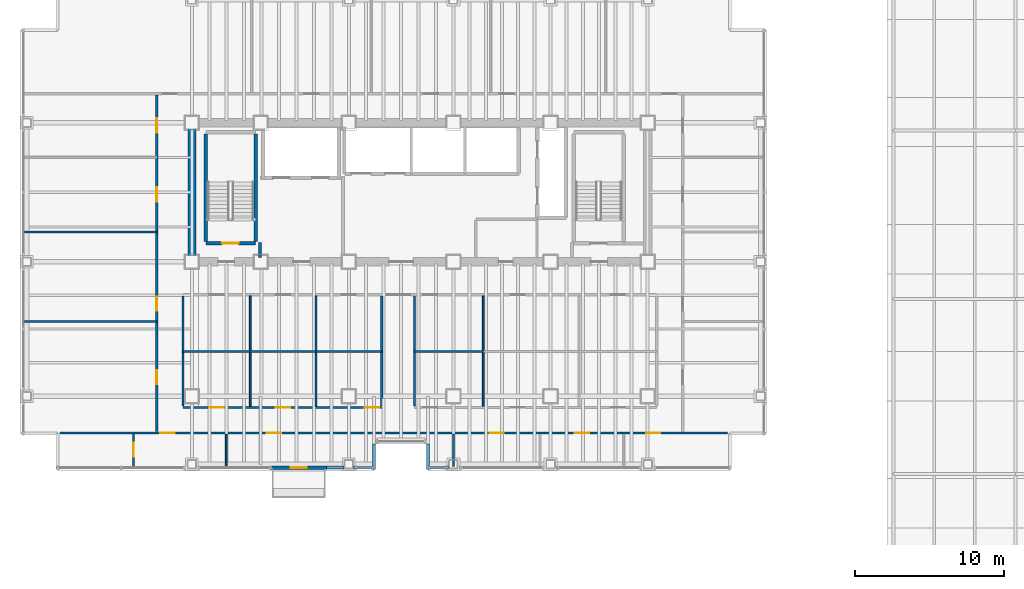
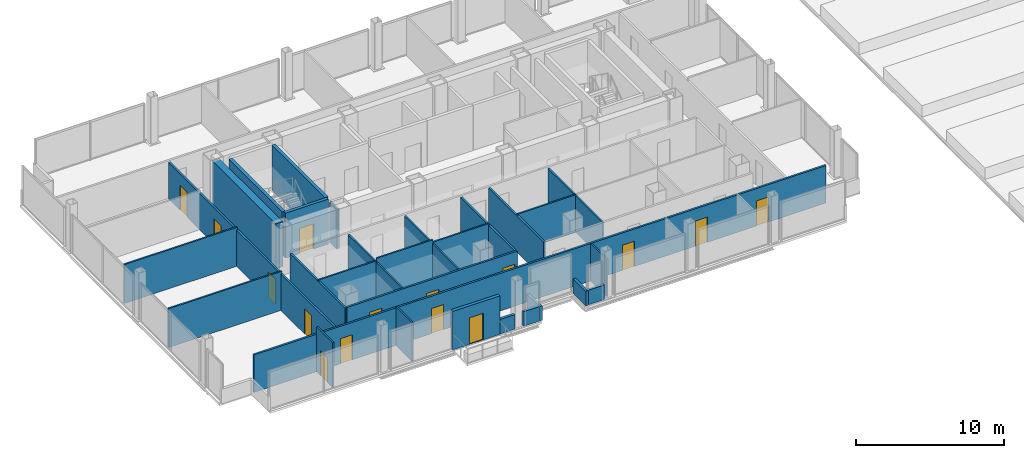
# One storey, part 25 of 30: 29 walls, 15 doors, 15 openings.
"""IFC4 building model written with IfcOpenShell, lengths in metres."""

from ifc_helpers import new_model, si_unit, direction, frame, frame_2d, origin, place, context, subcontext, project, spatial, rectangle, extrude, material, layer, layer_set, type_object, element, fill, save


model = new_model("IFC4")

# Units and contexts
model_context = context("Model", 3, precision=1e-05, world=origin(), true_north=direction((0.0, 1.0)))
body_context = subcontext(model_context, "Body", "Model", "MODEL_VIEW")
ifc_project = project(units=[si_unit("LENGTHUNIT", "METRE"), si_unit("AREAUNIT", "SQUARE_METRE"), si_unit("VOLUMEUNIT", "CUBIC_METRE"), si_unit("PLANEANGLEUNIT", "RADIAN"), si_unit("MASSUNIT", "GRAM", prefix="KILO")], contexts=[model_context])

# Site, building, storey
site_placement = place(None, origin())
site = spatial("IfcSite", under=ifc_project, at=site_placement, CompositionType="ELEMENT")
building_placement = place(site_placement, origin())
building = spatial("IfcBuilding", under=site, at=building_placement, Name="Noeulbin Bourse Tower", CompositionType="ELEMENT")
storey_placement = place(building_placement, frame((0.0, 0.0, 26.5)))
storey = spatial("IfcBuildingStorey", under=building, at=storey_placement, Name="L06", CompositionType="ELEMENT", Elevation=26.5)

# Wall
ifc_material_1 = material(Name="Concrete C60/75", Category="concrete")
ifc_layer_1 = layer(ifc_material_1, 0.550048828125)
ifc_layer_set_1 = layer_set([ifc_layer_1], Name="Concrete C60/75")
wall_type_1 = type_object("IfcWallType", Name="WAL-CORE-550", PredefinedType="SHEAR", material=ifc_layer_set_1)
wall_1_placement = place(storey_placement, frame((13.5, 29.35009765625, 0.0), z_axis=(0.0, 0.0, 1.0), x_axis=(0.0, 1.0, 0.0)))
element("IfcWall", 1, at=wall_1_placement, inside=storey, type_object=wall_type_1, Name="Rear Core West Shear Wall L06", PredefinedType="SHEAR", context=body_context, shape_type="SweptSolid", body=[
    extrude(rectangle(XDim=8.599853515625, YDim=0.550048828125, at=frame_2d((4.2998046875, 0.0))), origin(), (0.0, 0.0, 1.0), 3.719970703125),
])

# Wall, opening, door
ifc_material_2 = material(Name="Precast Concrete C40/50", Category="concrete")
ifc_layer_2 = layer(ifc_material_2, 0.25)
ifc_layer_set_2 = layer_set([ifc_layer_2], Name="Precast Concrete C40/50")
wall_type_2 = type_object("IfcWallType", Name="WAL-EXT-250", PredefinedType="STANDARD", material=ifc_layer_set_2)
wall_2_placement = place(storey_placement, frame((18.800048828125, 15.219970703125, 0.0), z_axis=(0.0, 0.0, 1.0), x_axis=(1.0, 0.0, 0.0)))
wall_2 = element("IfcWall", 2, at=wall_2_placement, inside=storey, type_object=wall_type_2, Name="Balcony Threshold Wall L06", PredefinedType="STANDARD", context=body_context, shape_type="SweptSolid", body=[
    extrude(rectangle(XDim=3.699951171875, YDim=0.25, at=frame_2d((1.85009765625, 0.0))), origin(), (0.0, 0.0, 1.0), 3.179931640625),
])
opening_1_placement = place(wall_2_placement, frame((1.300048828125, 0.0, 0.0)))
opening_1 = element("IfcOpeningElement", 3, at=opening_1_placement, cuts=wall_2, Name="Opening BD-11", PredefinedType="OPENING", context=body_context, shape_type="SweptSolid", body=[
    extrude(rectangle(XDim=1.10009765625, YDim=2.199951171875, at=frame_2d((0.550048828125, 1.10009765625))), frame((0.0, 0.135009765625, 0.0), z_axis=(0.0, -1.0, 0.0), x_axis=(1.0, 0.0, 0.0)), (0.0, 0.0, 1.0), 0.27001953125),
])
ifc_material_3 = material(Name="Thermally Broken Aluminium Framed Glass", Category="aluminium")
door_type_1 = type_object("IfcDoorType", Name="DR-BAL-1100", OperationType="SINGLE_SWING_LEFT", PredefinedType="DOOR", material=ifc_material_3)
door_1_placement = place(opening_1_placement, origin())
door_1 = element("IfcDoor", 4, at=door_1_placement, inside=storey, type_object=door_type_1, Name="Tree-Balcony Access Door BD-L06", OperationType="SINGLE_SWING_RIGHT", OverallHeight=2.199951171875, OverallWidth=1.10009765625, PredefinedType="DOOR", context=body_context, shape_type="SweptSolid", body=[
    extrude(rectangle(XDim=1.10009765625, YDim=2.199951171875, at=frame_2d((0.550048828125, 1.10009765625))), frame((0.0, 0.02490234375, 0.0), z_axis=(0.0, -1.0, 0.0), x_axis=(1.0, 0.0, 0.0)), (0.0, 0.0, 1.0), 0.050048828125),
])
fill(opening_1, door_1)

# Walls
ifc_material_4 = material(Name="Concrete C40/50", Category="concrete")
ifc_layer_3 = layer(ifc_material_4, 0.199951171875)
ifc_layer_set_3 = layer_set([ifc_layer_3], Name="Concrete C40/50")
wall_type_3 = type_object("IfcWallType", Name="WAL-FIRE-200", PredefinedType="STANDARD", material=ifc_layer_set_3)
wall_3_placement = place(storey_placement, frame((18.050048828125, 29.284912109375, 0.0), z_axis=(0.0, 0.0, 1.0), x_axis=(0.0, 1.0, 0.0)))
element("IfcWall", 5, at=wall_3_placement, inside=storey, type_object=wall_type_3, Name="Interior Partition Wall L06-20", PredefinedType="STANDARD", context=body_context, shape_type="SweptSolid", body=[
    extrude(rectangle(XDim=1.01513671875, YDim=0.199951171875, at=frame_2d((0.507568359375, 0.0))), origin(), (0.0, 0.0, 1.0), 3.300048828125),
])
ifc_layer_4 = layer(ifc_material_4, 0.199951171875)
ifc_layer_set_4 = layer_set([ifc_layer_4], Name="Concrete C40/50")
wall_type_4 = type_object("IfcWallType", Name="WAL-PAR-200", PredefinedType="PARAPET", material=ifc_layer_set_4)
wall_4_placement = place(storey_placement, frame((22.5, 15.219970703125, 0.0), z_axis=(0.0, 0.0, 1.0), x_axis=(1.0, 0.0, 0.0)))
element("IfcWall", 6, at=wall_4_placement, inside=storey, type_object=wall_type_4, Name="Perimeter Pier Spandrel Parapet L06-S1", PredefinedType="PARAPET", context=body_context, shape_type="SweptSolid", body=[
    extrude(rectangle(XDim=1.179931640625, YDim=0.199951171875, at=frame_2d((0.58984375, 0.0))), origin(), (0.0, 0.0, 1.0), 1.199951171875),
])
for number, where, z_axis, x_axis, name in (
    (7, (24.320068359375, 15.219970703125, 0.0), (0.0, 0.0, 1.0), (1.0, 0.0, 0.0), "Perimeter Pier Spandrel Parapet L06-S2"),
    (8, (29.35009765625, 15.219970703125, 0.0), (0.0, 0.0, 1.0), (1.0, 0.0, 0.0), "Perimeter Pier Spandrel Parapet L06-S3"),
):
    element("IfcWall", number, at=place(storey_placement, frame(where, z_axis=z_axis, x_axis=x_axis)), inside=storey, type_object=wall_type_4, Name=name, PredefinedType="PARAPET", context=body_context, shape_type="SweptSolid", body=[
        extrude(rectangle(XDim=1.329833984375, YDim=0.199951171875, at=frame_2d((0.6650390625, 0.0))), origin(), (0.0, 0.0, 1.0), 1.199951171875),
    ])
for number, where, z_axis, x_axis, name in (
    (9, (25.699951171875, 15.10009765625, 0.0), (0.0, 0.0, 1.0), (0.0, 1.0, 0.0), "Sky-Garden Recess Parapet L06-W"),
    (10, (29.300048828125, 16.800048828125, 0.0), (0.0, 0.0, 1.0), (0.0, -1.0, 0.0), "Sky-Garden Recess Parapet L06-E"),
):
    element("IfcWall", number, at=place(storey_placement, frame(where, z_axis=z_axis, x_axis=x_axis)), inside=storey, type_object=wall_type_4, Name=name, PredefinedType="PARAPET", context=body_context, shape_type="SweptSolid", body=[
        extrude(rectangle(XDim=1.699951171875, YDim=0.199951171875, at=frame_2d((0.85009765625, 0.0))), origin(), (0.0, 0.0, 1.0), 1.199951171875),
    ])
ifc_material_5 = material(Name="Steel Stud Gypsum Partition", Category="steel")
ifc_layer_5 = layer(ifc_material_5, 0.1201171875)
ifc_layer_set_5 = layer_set([ifc_layer_5], Name="Steel Stud Gypsum Partition")
wall_type_5 = type_object("IfcWallType", Name="WAL-PRT-120", PredefinedType="PARTITIONING", material=ifc_layer_set_5)
wall_5_placement = place(storey_placement, frame((12.89990234375, 23.0, 0.0), z_axis=(0.0, 0.0, 1.0), x_axis=(1.0, 0.0, 0.0)))
element("IfcWall", 11, at=wall_5_placement, inside=storey, type_object=wall_type_5, Name="Interior Partition Wall L06-07", PredefinedType="PARTITIONING", context=body_context, shape_type="SweptSolid", body=[
    extrude(rectangle(XDim=4.5, YDim=0.1201171875, at=frame_2d((2.25, 0.0))), origin(), (0.0, 0.0, 1.0), 3.10009765625),
])
wall_6_placement = place(storey_placement, frame((17.39990234375, 23.0, 0.0), z_axis=(0.0, 0.0, 1.0), x_axis=(1.0, 0.0, 0.0)))
element("IfcWall", 12, at=wall_6_placement, inside=storey, type_object=wall_type_5, Name="Interior Partition Wall L06-08", PredefinedType="PARTITIONING", context=body_context, shape_type="SweptSolid", body=[
    extrude(rectangle(XDim=4.400146484375, YDim=0.1201171875, at=frame_2d((2.2001953125, 0.0))), origin(), (0.0, 0.0, 1.0), 3.300048828125),
])
wall_7_placement = place(storey_placement, frame((21.800048828125, 23.0, 0.0), z_axis=(0.0, 0.0, 1.0), x_axis=(1.0, 0.0, 0.0)))
element("IfcWall", 13, at=wall_7_placement, inside=storey, type_object=wall_type_5, Name="Interior Partition Wall L06-09", PredefinedType="PARTITIONING", context=body_context, shape_type="SweptSolid", body=[
    extrude(rectangle(XDim=4.39990234375, YDim=0.1201171875, at=frame_2d((2.199951171875, 0.0))), origin(), (0.0, 0.0, 1.0), 3.10009765625),
])
wall_8_placement = place(storey_placement, frame((28.39990234375, 23.0, 0.0), z_axis=(0.0, 0.0, 1.0), x_axis=(1.0, 0.0, 0.0)))
element("IfcWall", 14, at=wall_8_placement, inside=storey, type_object=wall_type_5, Name="Interior Partition Wall L06-10", PredefinedType="PARTITIONING", context=body_context, shape_type="SweptSolid", body=[
    extrude(rectangle(XDim=4.60009765625, YDim=0.1201171875, at=frame_2d((2.300048828125, 0.0))), origin(), (0.0, 0.0, 1.0), 3.10009765625),
])
for number, where, z_axis, x_axis, name in (
    (15, (2.31005859375, 25.0, 0.0), (0.0, 0.0, 1.0), (1.0, 0.0, 0.0), "Interior Partition Wall L06-13"),
    (16, (2.31005859375, 31.0, 0.0), (0.0, 0.0, 1.0), (1.0, 0.0, 0.0), "Interior Partition Wall L06-14"),
):
    element("IfcWall", number, at=place(storey_placement, frame(where, z_axis=z_axis, x_axis=x_axis)), inside=storey, type_object=wall_type_5, Name=name, PredefinedType="PARTITIONING", context=body_context, shape_type="SweptSolid", body=[
        extrude(rectangle(XDim=8.83984375, YDim=0.1201171875, at=frame_2d((4.419921875, 0.0))), origin(), (0.0, 0.0, 1.0), 3.2119140625),
    ])

# Wall, opening, door
wall_9_placement = place(storey_placement, frame((9.60009765625, 15.31005859375, 0.0), z_axis=(0.0, 0.0, 1.0), x_axis=(0.0, 1.0, 0.0)))
wall_9 = element("IfcWall", 17, at=wall_9_placement, inside=storey, type_object=wall_type_5, Name="Interior Partition Wall L06-31", PredefinedType="PARTITIONING", context=body_context, shape_type="SweptSolid", body=[
    extrude(rectangle(XDim=2.155029296875, YDim=0.1201171875, at=frame_2d((1.07763671875, 0.0))), origin(), (0.0, 0.0, 1.0), 3.719970703125),
])
opening_2_placement = place(wall_9_placement, frame((0.64501953125, 0.0, 0.0)))
opening_2 = element("IfcOpeningElement", 18, at=opening_2_placement, cuts=wall_9, Name="Opening ID-09", PredefinedType="OPENING", context=body_context, shape_type="SweptSolid", body=[
    extrude(rectangle(XDim=0.949951171875, YDim=2.080078125, at=frame_2d((0.47509765625, 1.0400390625))), frame((0.0, 0.070068359375, 0.0), z_axis=(0.0, -1.0, 0.0), x_axis=(1.0, 0.0, 0.0)), (0.0, 0.0, 1.0), 0.14013671875),
])
ifc_material_6 = material(Name="Acoustic Solid-Core Timber", Category="wood")
door_type_2 = type_object("IfcDoorType", Name="DR-SINGLE-950", OperationType="SINGLE_SWING_LEFT", PredefinedType="DOOR", material=ifc_material_6)
door_2_placement = place(opening_2_placement, origin())
door_2 = element("IfcDoor", 19, at=door_2_placement, inside=storey, type_object=door_type_2, Name="Interior Door L06-07", OperationType="SINGLE_SWING_RIGHT", OverallHeight=2.080078125, OverallWidth=0.949951171875, PredefinedType="DOOR", context=body_context, shape_type="SweptSolid", body=[
    extrude(rectangle(XDim=0.949951171875, YDim=2.080078125, at=frame_2d((0.47509765625, 1.0400390625))), frame((0.0, 0.02490234375, 0.0), z_axis=(0.0, -1.0, 0.0), x_axis=(1.0, 0.0, 0.0)), (0.0, 0.0, 1.0), 0.050048828125),
])
fill(opening_2, door_2)

# Walls
wall_10_placement = place(storey_placement, frame((15.800048828125, 15.31005859375, 0.0), z_axis=(0.0, 0.0, 1.0), x_axis=(0.0, 1.0, 0.0)))
element("IfcWall", 20, at=wall_10_placement, inside=storey, type_object=wall_type_5, Name="Interior Partition Wall L06-32", PredefinedType="PARTITIONING", context=body_context, shape_type="SweptSolid", body=[
    extrude(rectangle(XDim=2.155029296875, YDim=0.1201171875, at=frame_2d((1.07763671875, 0.0))), origin(), (0.0, 0.0, 1.0), 3.2119140625),
])
wall_11_placement = place(storey_placement, frame((31.0, 15.31005859375, 0.0), z_axis=(0.0, 0.0, 1.0), x_axis=(0.0, 1.0, 0.0)))
element("IfcWall", 21, at=wall_11_placement, inside=storey, type_object=wall_type_5, Name="Interior Partition Wall L06-33", PredefinedType="PARTITIONING", context=body_context, shape_type="SweptSolid", body=[
    extrude(rectangle(XDim=2.155029296875, YDim=0.1201171875, at=frame_2d((1.07763671875, 0.0))), origin(), (0.0, 0.0, 1.0), 3.10009765625),
])
for number, where, z_axis, x_axis, name in (
    (22, (17.39990234375, 19.3349609375, 0.0), (0.0, 0.0, 1.0), (0.0, 1.0, 0.0), "Interior Partition Wall L06-36"),
    (23, (21.800048828125, 19.3349609375, 0.0), (0.0, 0.0, 1.0), (0.0, 1.0, 0.0), "Interior Partition Wall L06-37"),
    (24, (33.0, 19.3349609375, 0.0), (0.0, 0.0, 1.0), (0.0, 1.0, 0.0), "Interior Partition Wall L06-38"),
):
    element("IfcWall", number, at=place(storey_placement, frame(where, z_axis=z_axis, x_axis=x_axis)), inside=storey, type_object=wall_type_5, Name=name, PredefinedType="PARTITIONING", context=body_context, shape_type="SweptSolid", body=[
        extrude(rectangle(XDim=7.380126953125, YDim=0.1201171875, at=frame_2d((3.68994140625, 0.0))), origin(), (0.0, 0.0, 1.0), 3.0),
    ])

# Wall, openings, doors
ifc_material_7 = material(Name="Steel Stud Acoustic Gypsum Board", Category="steel")
ifc_layer_6 = layer(ifc_material_7, 0.14990234375)
ifc_layer_set_6 = layer_set([ifc_layer_6], Name="Steel Stud Acoustic Gypsum Board")
wall_type_6 = type_object("IfcWallType", Name="WAL-PRT-150", PredefinedType="PARTITIONING", material=ifc_layer_set_6)
wall_12_placement = place(storey_placement, frame((4.659912109375, 17.550048828125, 0.0), z_axis=(0.0, 0.0, 1.0), x_axis=(1.0, 0.0, 0.0)))
wall_12 = element("IfcWall", 25, at=wall_12_placement, inside=storey, type_object=wall_type_6, Name="Interior Partition Wall L06-04", PredefinedType="PARTITIONING", context=body_context, shape_type="SweptSolid", body=[
    extrude(rectangle(XDim=44.68017578125, YDim=0.14990234375, at=frame_2d((22.340087890625, 0.0))), origin(), (0.0, 0.0, 1.0), 3.10009765625),
])
opening_3_placement = place(wall_12_placement, frame((6.739990234375, 0.0, 0.0)))
opening_3 = element("IfcOpeningElement", 26, at=opening_3_placement, cuts=wall_12, Name="Opening ID-09", PredefinedType="OPENING", context=body_context, shape_type="SweptSolid", body=[
    extrude(rectangle(XDim=0.949951171875, YDim=2.080078125, at=frame_2d((0.47509765625, 1.0400390625))), frame((0.0, 0.0849609375, 0.0), z_axis=(0.0, -1.0, 0.0), x_axis=(1.0, 0.0, 0.0)), (0.0, 0.0, 1.0), 0.169921875),
])
opening_4_placement = place(wall_12_placement, frame((13.864990234375, 0.0, 0.0)))
opening_4 = element("IfcOpeningElement", 27, at=opening_4_placement, cuts=wall_12, Name="Opening ID-09", PredefinedType="OPENING", context=body_context, shape_type="SweptSolid", body=[
    extrude(rectangle(XDim=0.949951171875, YDim=2.080078125, at=frame_2d((0.47509765625, 1.0400390625))), frame((0.0, 0.0849609375, 0.0), z_axis=(0.0, -1.0, 0.0), x_axis=(1.0, 0.0, 0.0)), (0.0, 0.0, 1.0), 0.169921875),
])
opening_5_placement = place(wall_12_placement, frame((28.764892578125, 0.0, 0.0)))
opening_5 = element("IfcOpeningElement", 28, at=opening_5_placement, cuts=wall_12, Name="Opening ID-09", PredefinedType="OPENING", context=body_context, shape_type="SweptSolid", body=[
    extrude(rectangle(XDim=0.949951171875, YDim=2.080078125, at=frame_2d((0.47509765625, 1.0400390625))), frame((0.0, 0.0849609375, 0.0), z_axis=(0.0, -1.0, 0.0), x_axis=(1.0, 0.0, 0.0)), (0.0, 0.0, 1.0), 0.169921875),
])
opening_6_placement = place(wall_12_placement, frame((34.465087890625, 0.0, 0.0)))
opening_6 = element("IfcOpeningElement", 29, at=opening_6_placement, cuts=wall_12, Name="Opening ID-09", PredefinedType="OPENING", context=body_context, shape_type="SweptSolid", body=[
    extrude(rectangle(XDim=0.949951171875, YDim=2.080078125, at=frame_2d((0.47509765625, 1.0400390625))), frame((0.0, 0.0849609375, 0.0), z_axis=(0.0, -1.0, 0.0), x_axis=(1.0, 0.0, 0.0)), (0.0, 0.0, 1.0), 0.169921875),
])
opening_7_placement = place(wall_12_placement, frame((39.239990234375, 0.0, 0.0)))
opening_7 = element("IfcOpeningElement", 30, at=opening_7_placement, cuts=wall_12, Name="Opening ID-09", PredefinedType="OPENING", context=body_context, shape_type="SweptSolid", body=[
    extrude(rectangle(XDim=0.949951171875, YDim=2.080078125, at=frame_2d((0.47509765625, 1.0400390625))), frame((0.0, 0.0849609375, 0.0), z_axis=(0.0, -1.0, 0.0), x_axis=(1.0, 0.0, 0.0)), (0.0, 0.0, 1.0), 0.169921875),
])
door_3_placement = place(opening_3_placement, origin())
door_3 = element("IfcDoor", 31, at=door_3_placement, inside=storey, type_object=door_type_2, Name="Interior Door L06-08", OperationType="SINGLE_SWING_LEFT", OverallHeight=2.080078125, OverallWidth=0.949951171875, PredefinedType="DOOR", context=body_context, shape_type="SweptSolid", body=[
    extrude(rectangle(XDim=0.949951171875, YDim=2.080078125, at=frame_2d((0.47509765625, 1.0400390625))), frame((0.0, 0.02490234375, 0.0), z_axis=(0.0, -1.0, 0.0), x_axis=(1.0, 0.0, 0.0)), (0.0, 0.0, 1.0), 0.050048828125),
])
fill(opening_3, door_3)
door_4_placement = place(opening_4_placement, origin())
door_4 = element("IfcDoor", 32, at=door_4_placement, inside=storey, type_object=door_type_2, Name="Interior Door L06-09", OperationType="SINGLE_SWING_RIGHT", OverallHeight=2.080078125, OverallWidth=0.949951171875, PredefinedType="DOOR", context=body_context, shape_type="SweptSolid", body=[
    extrude(rectangle(XDim=0.949951171875, YDim=2.080078125, at=frame_2d((0.47509765625, 1.0400390625))), frame((0.0, 0.02490234375, 0.0), z_axis=(0.0, -1.0, 0.0), x_axis=(1.0, 0.0, 0.0)), (0.0, 0.0, 1.0), 0.050048828125),
])
fill(opening_4, door_4)
door_5_placement = place(opening_5_placement, origin())
door_5 = element("IfcDoor", 33, at=door_5_placement, inside=storey, type_object=door_type_2, Name="Interior Door L06-10", OperationType="SINGLE_SWING_LEFT", OverallHeight=2.080078125, OverallWidth=0.949951171875, PredefinedType="DOOR", context=body_context, shape_type="SweptSolid", body=[
    extrude(rectangle(XDim=0.949951171875, YDim=2.080078125, at=frame_2d((0.47509765625, 1.0400390625))), frame((0.0, 0.02490234375, 0.0), z_axis=(0.0, -1.0, 0.0), x_axis=(1.0, 0.0, 0.0)), (0.0, 0.0, 1.0), 0.050048828125),
])
fill(opening_5, door_5)
door_6_placement = place(opening_6_placement, origin())
door_6 = element("IfcDoor", 34, at=door_6_placement, inside=storey, type_object=door_type_2, Name="Interior Door L06-11", OperationType="SINGLE_SWING_RIGHT", OverallHeight=2.080078125, OverallWidth=0.949951171875, PredefinedType="DOOR", context=body_context, shape_type="SweptSolid", body=[
    extrude(rectangle(XDim=0.949951171875, YDim=2.080078125, at=frame_2d((0.47509765625, 1.0400390625))), frame((0.0, 0.02490234375, 0.0), z_axis=(0.0, -1.0, 0.0), x_axis=(1.0, 0.0, 0.0)), (0.0, 0.0, 1.0), 0.050048828125),
])
fill(opening_6, door_6)
door_7_placement = place(opening_7_placement, origin())
door_7 = element("IfcDoor", 35, at=door_7_placement, inside=storey, type_object=door_type_2, Name="Interior Door L06-12", OperationType="SINGLE_SWING_LEFT", OverallHeight=2.080078125, OverallWidth=0.949951171875, PredefinedType="DOOR", context=body_context, shape_type="SweptSolid", body=[
    extrude(rectangle(XDim=0.949951171875, YDim=2.080078125, at=frame_2d((0.47509765625, 1.0400390625))), frame((0.0, 0.02490234375, 0.0), z_axis=(0.0, -1.0, 0.0), x_axis=(1.0, 0.0, 0.0)), (0.0, 0.0, 1.0), 0.050048828125),
])
fill(opening_7, door_7)

wall_13_placement = place(storey_placement, frame((12.89990234375, 19.25, 0.0), z_axis=(0.0, 0.0, 1.0), x_axis=(1.0, 0.0, 0.0)))
wall_13 = element("IfcWall", 36, at=wall_13_placement, inside=storey, type_object=wall_type_6, Name="Interior Partition Wall L06-05", PredefinedType="PARTITIONING", context=body_context, shape_type="SweptSolid", body=[
    extrude(rectangle(XDim=13.300048828125, YDim=0.14990234375, at=frame_2d((6.64990234375, 0.0))), origin(), (0.0, 0.0, 1.0), 3.10009765625),
])
opening_8_placement = place(wall_13_placement, frame((1.77490234375, 0.0, 0.0)))
opening_8 = element("IfcOpeningElement", 37, at=opening_8_placement, cuts=wall_13, Name="Opening ID-09", PredefinedType="OPENING", context=body_context, shape_type="SweptSolid", body=[
    extrude(rectangle(XDim=0.949951171875, YDim=2.080078125, at=frame_2d((0.47509765625, 1.0400390625))), frame((0.0, 0.0849609375, 0.0), z_axis=(0.0, -1.0, 0.0), x_axis=(1.0, 0.0, 0.0)), (0.0, 0.0, 1.0), 0.169921875),
])
opening_9_placement = place(wall_13_placement, frame((6.22509765625, 0.0, 0.0)))
opening_9 = element("IfcOpeningElement", 38, at=opening_9_placement, cuts=wall_13, Name="Opening ID-09", PredefinedType="OPENING", context=body_context, shape_type="SweptSolid", body=[
    extrude(rectangle(XDim=0.949951171875, YDim=2.080078125, at=frame_2d((0.47509765625, 1.0400390625))), frame((0.0, 0.0849609375, 0.0), z_axis=(0.0, -1.0, 0.0), x_axis=(1.0, 0.0, 0.0)), (0.0, 0.0, 1.0), 0.169921875),
])
opening_10_placement = place(wall_13_placement, frame((12.175048828125, 0.0, 0.0)))
opening_10 = element("IfcOpeningElement", 39, at=opening_10_placement, cuts=wall_13, Name="Opening ID-09", PredefinedType="OPENING", context=body_context, shape_type="SweptSolid", body=[
    extrude(rectangle(XDim=0.949951171875, YDim=2.080078125, at=frame_2d((0.47509765625, 1.0400390625))), frame((0.0, 0.0849609375, 0.0), z_axis=(0.0, -1.0, 0.0), x_axis=(1.0, 0.0, 0.0)), (0.0, 0.0, 1.0), 0.169921875),
])
door_8_placement = place(opening_8_placement, origin())
door_8 = element("IfcDoor", 40, at=door_8_placement, inside=storey, type_object=door_type_2, Name="Interior Door L06-14", OperationType="SINGLE_SWING_LEFT", OverallHeight=2.080078125, OverallWidth=0.949951171875, PredefinedType="DOOR", context=body_context, shape_type="SweptSolid", body=[
    extrude(rectangle(XDim=0.949951171875, YDim=2.080078125, at=frame_2d((0.47509765625, 1.0400390625))), frame((0.0, 0.02490234375, 0.0), z_axis=(0.0, -1.0, 0.0), x_axis=(1.0, 0.0, 0.0)), (0.0, 0.0, 1.0), 0.050048828125),
])
fill(opening_8, door_8)
door_9_placement = place(opening_9_placement, origin())
door_9 = element("IfcDoor", 41, at=door_9_placement, inside=storey, type_object=door_type_2, Name="Interior Door L06-16", OperationType="SINGLE_SWING_LEFT", OverallHeight=2.080078125, OverallWidth=0.949951171875, PredefinedType="DOOR", context=body_context, shape_type="SweptSolid", body=[
    extrude(rectangle(XDim=0.949951171875, YDim=2.080078125, at=frame_2d((0.47509765625, 1.0400390625))), frame((0.0, 0.02490234375, 0.0), z_axis=(0.0, -1.0, 0.0), x_axis=(1.0, 0.0, 0.0)), (0.0, 0.0, 1.0), 0.050048828125),
])
fill(opening_9, door_9)
door_10_placement = place(opening_10_placement, origin())
door_10 = element("IfcDoor", 42, at=door_10_placement, inside=storey, type_object=door_type_2, Name="Interior Door L06-18", OperationType="SINGLE_SWING_LEFT", OverallHeight=2.080078125, OverallWidth=0.949951171875, PredefinedType="DOOR", context=body_context, shape_type="SweptSolid", body=[
    extrude(rectangle(XDim=0.949951171875, YDim=2.080078125, at=frame_2d((0.47509765625, 1.0400390625))), frame((0.0, 0.02490234375, 0.0), z_axis=(0.0, -1.0, 0.0), x_axis=(1.0, 0.0, 0.0)), (0.0, 0.0, 1.0), 0.050048828125),
])
fill(opening_10, door_10)

# Walls
for number, where, z_axis, x_axis, name in (
    (43, (26.199951171875, 19.3349609375, 0.0), (0.0, 0.0, 1.0), (0.0, 1.0, 0.0), "Interior Partition Wall L06-25"),
    (44, (28.39990234375, 19.3349609375, 0.0), (0.0, 0.0, 1.0), (0.0, 1.0, 0.0), "Interior Partition Wall L06-26"),
):
    element("IfcWall", number, at=place(storey_placement, frame(where, z_axis=z_axis, x_axis=x_axis)), inside=storey, type_object=wall_type_6, Name=name, PredefinedType="PARTITIONING", context=body_context, shape_type="SweptSolid", body=[
        extrude(rectangle(XDim=7.380126953125, YDim=0.14990234375, at=frame_2d((3.68994140625, 0.0))), origin(), (0.0, 0.0, 1.0), 3.0),
    ])

# Wall, openings, doors
wall_14_placement = place(storey_placement, frame((11.14990234375, 17.635009765625, 0.0), z_axis=(0.0, 0.0, 1.0), x_axis=(0.0, 1.0, 0.0)))
wall_14 = element("IfcWall", 45, at=wall_14_placement, inside=storey, type_object=wall_type_6, Name="Interior Partition Wall L06-27", PredefinedType="PARTITIONING", context=body_context, shape_type="SweptSolid", body=[
    extrude(rectangle(XDim=22.530029296875, YDim=0.14990234375, at=frame_2d((11.26513671875, 0.0))), origin(), (0.0, 0.0, 1.0), 3.0),
])
opening_11_placement = place(wall_14_placement, frame((3.1650390625, 0.0, 0.0)))
opening_11 = element("IfcOpeningElement", 46, at=opening_11_placement, cuts=wall_14, Name="Opening ID-09", PredefinedType="OPENING", context=body_context, shape_type="SweptSolid", body=[
    extrude(rectangle(XDim=0.949951171875, YDim=2.080078125, at=frame_2d((0.47509765625, 1.0400390625))), frame((0.0, 0.0849609375, 0.0), z_axis=(0.0, -1.0, 0.0), x_axis=(1.0, 0.0, 0.0)), (0.0, 0.0, 1.0), 0.169921875),
])
opening_12_placement = place(wall_14_placement, frame((8.090087890625, 0.0, 0.0)))
opening_12 = element("IfcOpeningElement", 47, at=opening_12_placement, cuts=wall_14, Name="Opening ID-09", PredefinedType="OPENING", context=body_context, shape_type="SweptSolid", body=[
    extrude(rectangle(XDim=0.949951171875, YDim=2.080078125, at=frame_2d((0.47509765625, 1.0400390625))), frame((0.0, 0.0849609375, 0.0), z_axis=(0.0, -1.0, 0.0), x_axis=(1.0, 0.0, 0.0)), (0.0, 0.0, 1.0), 0.169921875),
])
opening_13_placement = place(wall_14_placement, frame((15.389892578125, 0.0, 0.0)))
opening_13 = element("IfcOpeningElement", 48, at=opening_13_placement, cuts=wall_14, Name="Opening ID-09", PredefinedType="OPENING", context=body_context, shape_type="SweptSolid", body=[
    extrude(rectangle(XDim=0.949951171875, YDim=2.080078125, at=frame_2d((0.47509765625, 1.0400390625))), frame((0.0, 0.0849609375, 0.0), z_axis=(0.0, -1.0, 0.0), x_axis=(1.0, 0.0, 0.0)), (0.0, 0.0, 1.0), 0.169921875),
])
opening_14_placement = place(wall_14_placement, frame((20.014892578125, 0.0, 0.0)))
opening_14 = element("IfcOpeningElement", 49, at=opening_14_placement, cuts=wall_14, Name="Opening ID-09", PredefinedType="OPENING", context=body_context, shape_type="SweptSolid", body=[
    extrude(rectangle(XDim=0.949951171875, YDim=2.080078125, at=frame_2d((0.47509765625, 1.0400390625))), frame((0.0, 0.0849609375, 0.0), z_axis=(0.0, -1.0, 0.0), x_axis=(1.0, 0.0, 0.0)), (0.0, 0.0, 1.0), 0.169921875),
])
door_11_placement = place(opening_11_placement, origin())
door_11 = element("IfcDoor", 50, at=door_11_placement, inside=storey, type_object=door_type_2, Name="Interior Door L06-25", OperationType="SINGLE_SWING_RIGHT", OverallHeight=2.080078125, OverallWidth=0.949951171875, PredefinedType="DOOR", context=body_context, shape_type="SweptSolid", body=[
    extrude(rectangle(XDim=0.949951171875, YDim=2.080078125, at=frame_2d((0.47509765625, 1.0400390625))), frame((0.0, 0.02490234375, 0.0), z_axis=(0.0, -1.0, 0.0), x_axis=(1.0, 0.0, 0.0)), (0.0, 0.0, 1.0), 0.050048828125),
])
fill(opening_11, door_11)
door_12_placement = place(opening_12_placement, origin())
door_12 = element("IfcDoor", 51, at=door_12_placement, inside=storey, type_object=door_type_2, Name="Interior Door L06-26", OperationType="SINGLE_SWING_LEFT", OverallHeight=2.080078125, OverallWidth=0.949951171875, PredefinedType="DOOR", context=body_context, shape_type="SweptSolid", body=[
    extrude(rectangle(XDim=0.949951171875, YDim=2.080078125, at=frame_2d((0.47509765625, 1.0400390625))), frame((0.0, 0.02490234375, 0.0), z_axis=(0.0, -1.0, 0.0), x_axis=(1.0, 0.0, 0.0)), (0.0, 0.0, 1.0), 0.050048828125),
])
fill(opening_12, door_12)
door_13_placement = place(opening_13_placement, origin())
door_13 = element("IfcDoor", 52, at=door_13_placement, inside=storey, type_object=door_type_2, Name="Interior Door L06-27", OperationType="SINGLE_SWING_RIGHT", OverallHeight=2.080078125, OverallWidth=0.949951171875, PredefinedType="DOOR", context=body_context, shape_type="SweptSolid", body=[
    extrude(rectangle(XDim=0.949951171875, YDim=2.080078125, at=frame_2d((0.47509765625, 1.0400390625))), frame((0.0, 0.02490234375, 0.0), z_axis=(0.0, -1.0, 0.0), x_axis=(1.0, 0.0, 0.0)), (0.0, 0.0, 1.0), 0.050048828125),
])
fill(opening_13, door_13)
door_14_placement = place(opening_14_placement, origin())
door_14 = element("IfcDoor", 53, at=door_14_placement, inside=storey, type_object=door_type_2, Name="Interior Door L06-28", OperationType="SINGLE_SWING_LEFT", OverallHeight=2.080078125, OverallWidth=0.949951171875, PredefinedType="DOOR", context=body_context, shape_type="SweptSolid", body=[
    extrude(rectangle(XDim=0.949951171875, YDim=2.080078125, at=frame_2d((0.47509765625, 1.0400390625))), frame((0.0, 0.02490234375, 0.0), z_axis=(0.0, -1.0, 0.0), x_axis=(1.0, 0.0, 0.0)), (0.0, 0.0, 1.0), 0.050048828125),
])
fill(opening_14, door_14)

# Wall
wall_15_placement = place(storey_placement, frame((12.89990234375, 19.3349609375, 0.0), z_axis=(0.0, 0.0, 1.0), x_axis=(0.0, 1.0, 0.0)))
element("IfcWall", 54, at=wall_15_placement, inside=storey, type_object=wall_type_6, Name="Interior Partition Wall L06-28", PredefinedType="PARTITIONING", context=body_context, shape_type="SweptSolid", body=[
    extrude(rectangle(XDim=7.380126953125, YDim=0.14990234375, at=frame_2d((3.68994140625, 0.0))), origin(), (0.0, 0.0, 1.0), 3.0),
])

# Wall, opening, door
ifc_layer_7 = layer(ifc_material_4, 0.25)
ifc_layer_set_7 = layer_set([ifc_layer_7], Name="Concrete C40/50")
wall_type_7 = type_object("IfcWallType", Name="WAL-SHFT-250", PredefinedType="STANDARD", material=ifc_layer_set_7)
wall_16_placement = place(storey_placement, frame((14.429931640625, 30.235107421875, 0.0), z_axis=(0.0, 0.0, 1.0), x_axis=(1.0, 0.0, 0.0)))
wall_16 = element("IfcWall", 55, at=wall_16_placement, inside=storey, type_object=wall_type_7, Name="Stair ST-1 South Shaft Wall L06", PredefinedType="STANDARD", context=body_context, shape_type="SweptSolid", body=[
    extrude(rectangle(XDim=3.340087890625, YDim=0.25, at=frame_2d((1.669921875, 0.0))), origin(), (0.0, 0.0, 1.0), 3.719970703125),
])
opening_15_placement = place(wall_16_placement, frame((1.10009765625, 0.0, 0.0)))
opening_15 = element("IfcOpeningElement", 56, at=opening_15_placement, cuts=wall_16, Name="Opening FD-11", PredefinedType="OPENING", context=body_context, shape_type="SweptSolid", body=[
    extrude(rectangle(XDim=1.10009765625, YDim=2.080078125, at=frame_2d((0.550048828125, 1.0400390625))), frame((0.0, 0.135009765625, 0.0), z_axis=(0.0, -1.0, 0.0), x_axis=(1.0, 0.0, 0.0)), (0.0, 0.0, 1.0), 0.27001953125),
])
ifc_material_8 = material(Name="Fire-Rated Insulated Steel", Category="steel")
door_type_3 = type_object("IfcDoorType", Name="DR-FD60-1100", OperationType="SINGLE_SWING_LEFT", PredefinedType="DOOR", material=ifc_material_8)
door_15_placement = place(opening_15_placement, origin())
door_15 = element("IfcDoor", 57, at=door_15_placement, inside=storey, type_object=door_type_3, Name="Protected Stair Entry Door ST1-L06", OperationType="SINGLE_SWING_RIGHT", OverallHeight=2.080078125, OverallWidth=1.10009765625, PredefinedType="DOOR", context=body_context, shape_type="SweptSolid", body=[
    extrude(rectangle(XDim=1.10009765625, YDim=2.080078125, at=frame_2d((0.550048828125, 1.0400390625))), frame((0.0, 0.02490234375, 0.0), z_axis=(0.0, -1.0, 0.0), x_axis=(1.0, 0.0, 0.0)), (0.0, 0.0, 1.0), 0.050048828125),
])
fill(opening_15, door_15)

# Walls
for number, where, z_axis, x_axis, name in (
    (58, (14.425048828125, 30.360107421875, 0.0), (0.0, 0.0, 1.0), (0.0, 1.0, 0.0), "Stair ST-1 West Shaft Wall L06"),
    (59, (17.77490234375, 30.360107421875, 0.0), (0.0, 0.0, 1.0), (0.0, 1.0, 0.0), "Stair ST-1 East Shaft Wall L06"),
):
    element("IfcWall", number, at=place(storey_placement, frame(where, z_axis=z_axis, x_axis=x_axis)), inside=storey, type_object=wall_type_7, Name=name, PredefinedType="STANDARD", context=body_context, shape_type="SweptSolid", body=[
        extrude(rectangle(XDim=7.183837890625, YDim=0.25, at=frame_2d((3.591796875, 0.0))), origin(), (0.0, 0.0, 1.0), 3.719970703125),
    ])

save(model, "model.ifc")
